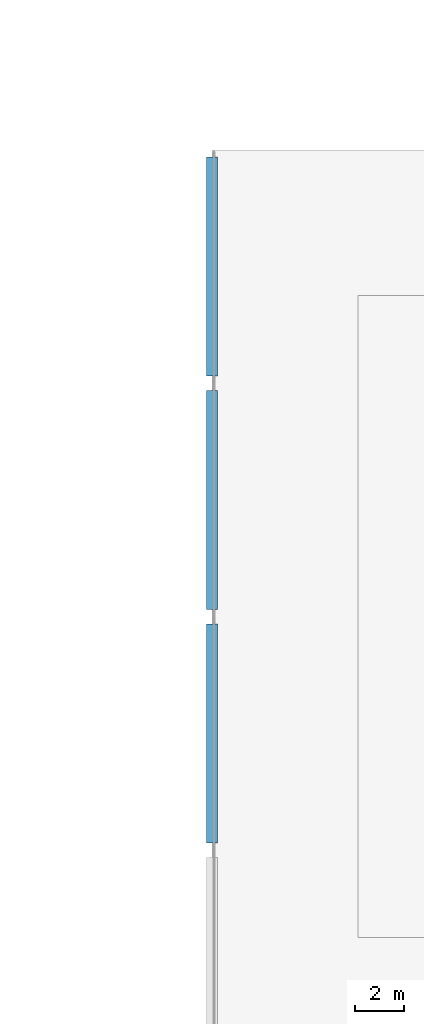
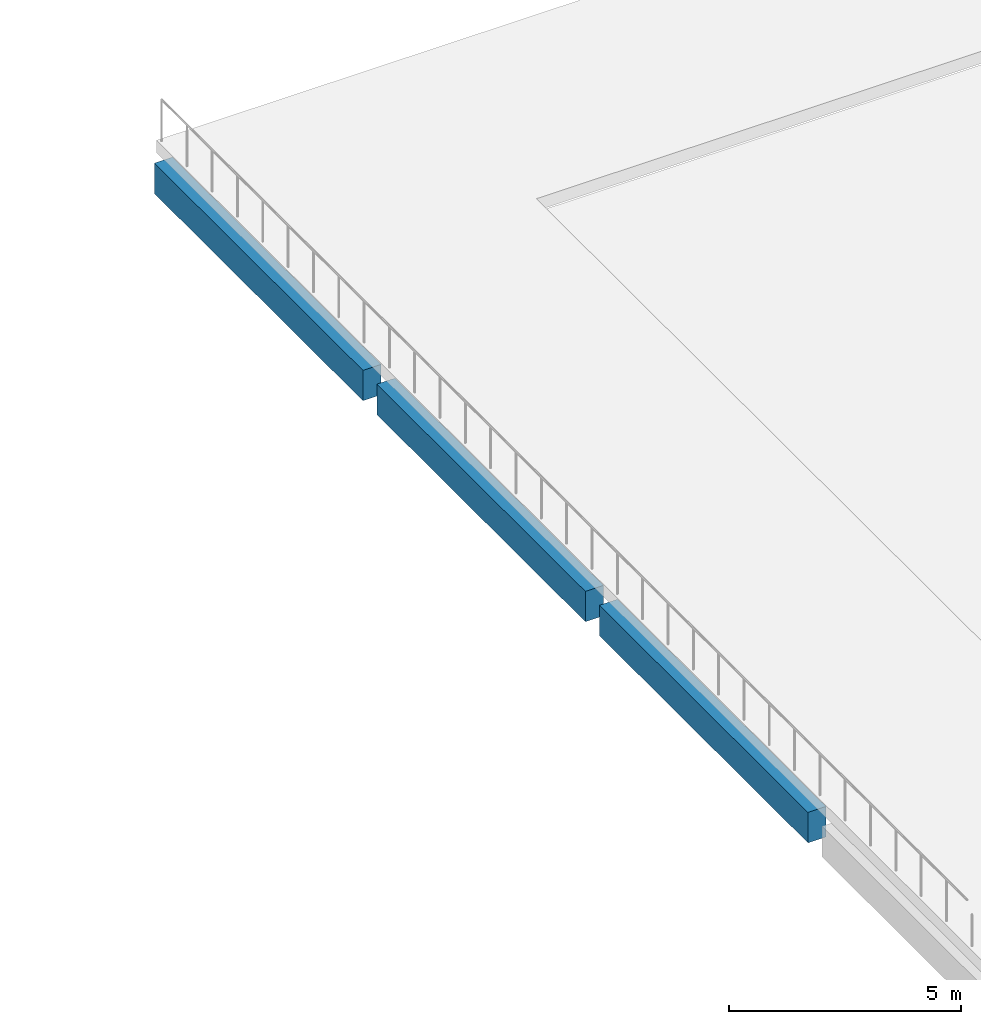
# One storey, part 29 of 84: 3 beams.
"""IFC4 building model written with IfcOpenShell, lengths in metres."""

from ifc_helpers import new_model, si_unit, direction, frame, origin, origin_2d, place, context, subcontext, project, spatial, rectangle, extrude, material, material_profile, profile_set, type_object, element, save


model = new_model("IFC4")

# Units and contexts
model_context = context("Model", 3, precision=1e-05, world=origin(), true_north=direction((0.0, 1.0)))
body_context = subcontext(model_context, "Body", "Model", "MODEL_VIEW")
ifc_project = project(units=[si_unit("LENGTHUNIT", "METRE"), si_unit("AREAUNIT", "SQUARE_METRE"), si_unit("VOLUMEUNIT", "CUBIC_METRE"), si_unit("PLANEANGLEUNIT", "RADIAN"), si_unit("MASSUNIT", "GRAM", prefix="KILO")], contexts=[model_context])

# Site, building, storey
site_placement = place(None, origin())
site = spatial("IfcSite", under=ifc_project, at=site_placement, CompositionType="ELEMENT")
building_placement = place(site_placement, origin())
building = spatial("IfcBuilding", under=site, at=building_placement, Name="Shalvenor Court Art Gallery", CompositionType="ELEMENT")
storey_placement = place(building_placement, origin())
storey = spatial("IfcBuildingStorey", under=building, at=storey_placement, Name="L00", CompositionType="ELEMENT", Elevation=0.0)

# Beams
ifc_material = material(Name="Concrete C40/50", Category="concrete")
ifc_material_profile = material_profile(ifc_material, rectangle(XDim=0.449951171875, YDim=0.800048828125, at=origin_2d()), Name="RC 450x800")
ifc_profile_set = profile_set([ifc_material_profile], Name="Concrete C40/50")
beam_type = type_object("IfcBeamType", Name="B-03", PredefinedType="BEAM", material=ifc_profile_set)
for number, where, z_axis, x_axis, name in (
    (1, (105.60009765625, 60.300048828125, -0.739990234375), (0.0, 1.0, 0.0), (-1.0, 0.0, 0.0), "L00 Girder BM-L00-B-03-0084"),
    (2, (105.60009765625, 69.89990234375, -0.739990234375), (0.0, 1.0, 0.0), (-1.0, 0.0, 0.0), "L00 Girder BM-L00-B-03-0085"),
    (3, (105.60009765625, 79.5, -0.739990234375), (0.0, 1.0, 0.0), (-1.0, 0.0, 0.0), "L00 Girder BM-L00-B-03-0086"),
):
    element("IfcBeam", number, at=place(storey_placement, frame(where, z_axis=z_axis, x_axis=x_axis)), inside=storey, type_object=beam_type, Name=name, PredefinedType="BEAM", context=body_context, shape_type="SweptSolid", body=[
        extrude(rectangle(XDim=0.449951171875, YDim=0.800048828125, at=origin_2d()), origin(), (0.0, 0.0, 1.0), 9.0),
    ])

save(model, "model.ifc")
